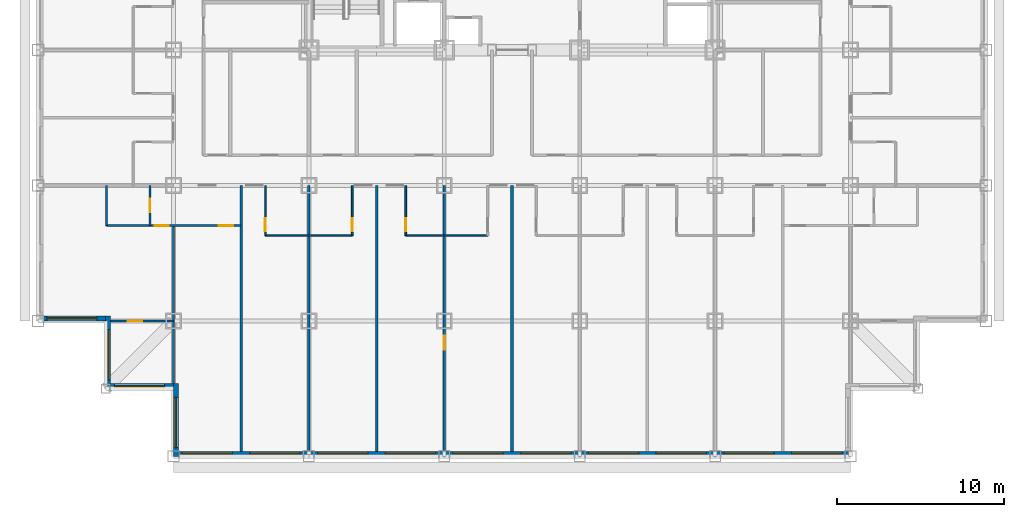
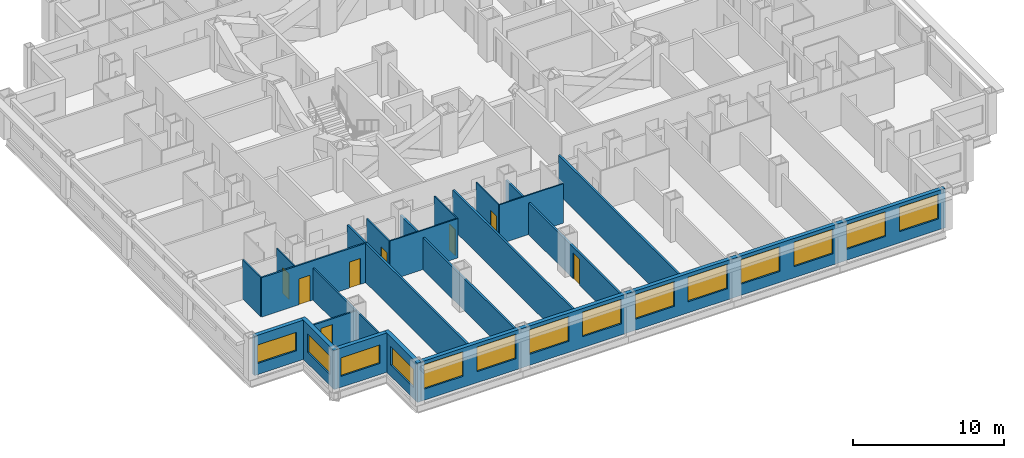
# One storey, part 3 of 12: 20 walls, 14 windows, 8 doors, 22 openings.
"""IFC4 building model written with IfcOpenShell, lengths in metres."""

from ifc_helpers import new_model, si_unit, direction, frame, frame_2d, origin, place, context, subcontext, project, spatial, rectangle, extrude, material, layer, layer_set, type_object, element, fill, save


model = new_model("IFC4")

# Units and contexts
model_context = context("Model", 3, precision=1e-05, world=origin(), true_north=direction((0.0, 1.0)))
body_context = subcontext(model_context, "Body", "Model", "MODEL_VIEW")
ifc_project = project(units=[si_unit("LENGTHUNIT", "METRE"), si_unit("AREAUNIT", "SQUARE_METRE"), si_unit("VOLUMEUNIT", "CUBIC_METRE"), si_unit("PLANEANGLEUNIT", "RADIAN"), si_unit("MASSUNIT", "GRAM", prefix="KILO")], contexts=[model_context])

# Site, building, storey
site_placement = place(None, origin())
site = spatial("IfcSite", under=ifc_project, at=site_placement, CompositionType="ELEMENT")
building_placement = place(site_placement, origin())
building = spatial("IfcBuilding", under=site, at=building_placement, Name="Kopane Lantern Tower", CompositionType="ELEMENT")
storey_placement = place(building_placement, frame((0.0, 0.0, 43.199951171875)))
storey = spatial("IfcBuildingStorey", under=building, at=storey_placement, Name="L09", CompositionType="ELEMENT", Elevation=43.199951171875)

# Wall, openings, doors
ifc_material_1 = material(Name="Gypsum board on steel studs", Category="steel")
ifc_layer_1 = layer(ifc_material_1, 0.1201171875)
ifc_layer_set_1 = layer_set([ifc_layer_1], Name="APARTMENT INTERNAL WALL 120")
wall_type_1 = type_object("IfcWallType", Name="APARTMENT INTERNAL WALL 120", PredefinedType="PARTITIONING", material=ifc_layer_set_1)
wall_1_placement = place(storey_placement, frame((4.10009765625, 13.800048828125, 0.0), z_axis=(0.0, 0.0, 1.0), x_axis=(1.0, 0.0, 0.0)))
wall_1 = element("IfcWall", 1, at=wall_1_placement, inside=storey, type_object=wall_type_1, Name="Apartment Internal Wall 120 L09", PredefinedType="PARTITIONING", context=body_context, shape_type="SweptSolid", body=[
    extrude(rectangle(XDim=8.0498046875, YDim=0.1201171875, at=frame_2d((4.02490234375, 0.0))), origin(), (0.0, 0.0, 1.0), 3.18994140625),
])
opening_1_placement = place(wall_1_placement, frame((6.72509765625, 0.0, 0.0)))
opening_1 = element("IfcOpeningElement", 2, at=opening_1_placement, cuts=wall_1, Name="Opening L09-074", PredefinedType="OPENING", context=body_context, shape_type="SweptSolid", body=[
    extrude(rectangle(XDim=0.85009765625, YDim=2.10009765625, at=frame_2d((0.425048828125, 1.050048828125))), frame((0.0, 0.070068359375, 0.0), z_axis=(0.0, -1.0, 0.0), x_axis=(1.0, 0.0, 0.0)), (0.0, 0.0, 1.0), 0.14013671875),
])
opening_2_placement = place(wall_1_placement, frame((2.875, 0.0, 0.0)))
opening_2 = element("IfcOpeningElement", 3, at=opening_2_placement, cuts=wall_1, Name="Opening L09-076", PredefinedType="OPENING", context=body_context, shape_type="SweptSolid", body=[
    extrude(rectangle(XDim=0.85009765625, YDim=2.10009765625, at=frame_2d((0.425048828125, 1.050048828125))), frame((0.0, 0.070068359375, 0.0), z_axis=(0.0, -1.0, 0.0), x_axis=(1.0, 0.0, 0.0)), (0.0, 0.0, 1.0), 0.14013671875),
])
ifc_material_2 = material(Name="Timber door set", Category="wood")
door_type_1 = type_object("IfcDoorType", Name="DOOR D4 850x2100", OperationType="SINGLE_SWING_LEFT", PredefinedType="DOOR", material=ifc_material_2)
door_1_placement = place(opening_1_placement, origin())
door_1 = element("IfcDoor", 4, at=door_1_placement, inside=storey, type_object=door_type_1, Name="Door L09-074", OperationType="SINGLE_SWING_RIGHT", OverallHeight=2.10009765625, OverallWidth=0.85009765625, PredefinedType="DOOR", context=body_context, shape_type="SweptSolid", body=[
    extrude(rectangle(XDim=0.85009765625, YDim=2.10009765625, at=frame_2d((0.425048828125, 1.050048828125))), frame((0.0, 0.02490234375, 0.0), z_axis=(0.0, -1.0, 0.0), x_axis=(1.0, 0.0, 0.0)), (0.0, 0.0, 1.0), 0.050048828125),
])
fill(opening_1, door_1)
door_2_placement = place(opening_2_placement, origin())
door_2 = element("IfcDoor", 5, at=door_2_placement, inside=storey, type_object=door_type_1, Name="Door L09-076", OperationType="SINGLE_SWING_LEFT", OverallHeight=2.10009765625, OverallWidth=0.85009765625, PredefinedType="DOOR", context=body_context, shape_type="SweptSolid", body=[
    extrude(rectangle(XDim=0.85009765625, YDim=2.10009765625, at=frame_2d((0.425048828125, 1.050048828125))), frame((0.0, 0.02490234375, 0.0), z_axis=(0.0, -1.0, 0.0), x_axis=(1.0, 0.0, 0.0)), (0.0, 0.0, 1.0), 0.050048828125),
])
fill(opening_2, door_2)

# Wall
wall_2_placement = place(storey_placement, frame((8.10009765625, 13.800048828125, 0.0), z_axis=(0.0, 0.0, 1.0), x_axis=(0.0, -1.0, 0.0)))
element("IfcWall", 6, at=wall_2_placement, inside=storey, type_object=wall_type_1, Name="Apartment Internal Wall 120 L09", PredefinedType="PARTITIONING", context=body_context, shape_type="SweptSolid", body=[
    extrude(rectangle(XDim=9.449951171875, YDim=0.1201171875, at=frame_2d((4.72509765625, 0.0))), origin(), (0.0, 0.0, 1.0), 2.577880859375),
])

# Wall, opening, door
wall_3_placement = place(storey_placement, frame((8.10009765625, 8.10009765625, 0.0), z_axis=(0.0, 0.0, 1.0), x_axis=(-1.0, 0.0, 0.0)))
wall_3 = element("IfcWall", 7, at=wall_3_placement, inside=storey, type_object=wall_type_1, Name="Apartment Internal Wall 120 L09", PredefinedType="PARTITIONING", context=body_context, shape_type="SweptSolid", body=[
    extrude(rectangle(XDim=3.75, YDim=0.1201171875, at=frame_2d((1.875, 0.0))), origin(), (0.0, 0.0, 1.0), 2.577880859375),
])
opening_3_placement = place(wall_3_placement, frame((1.875, 0.0, 0.0)))
opening_3 = element("IfcOpeningElement", 8, at=opening_3_placement, cuts=wall_3, Name="Opening L09-077", PredefinedType="OPENING", context=body_context, shape_type="SweptSolid", body=[
    extrude(rectangle(XDim=0.85009765625, YDim=2.10009765625, at=frame_2d((0.425048828125, 1.050048828125))), frame((0.0, 0.070068359375, 0.0), z_axis=(0.0, -1.0, 0.0), x_axis=(1.0, 0.0, 0.0)), (0.0, 0.0, 1.0), 0.14013671875),
])
door_3_placement = place(opening_3_placement, origin())
door_3 = element("IfcDoor", 9, at=door_3_placement, inside=storey, type_object=door_type_1, Name="Door L09-077", OperationType="SINGLE_SWING_LEFT", OverallHeight=2.10009765625, OverallWidth=0.85009765625, PredefinedType="DOOR", context=body_context, shape_type="SweptSolid", body=[
    extrude(rectangle(XDim=0.85009765625, YDim=2.10009765625, at=frame_2d((0.425048828125, 1.050048828125))), frame((0.0, 0.02490234375, 0.0), z_axis=(0.0, -1.0, 0.0), x_axis=(1.0, 0.0, 0.0)), (0.0, 0.0, 1.0), 0.050048828125),
])
fill(opening_3, door_3)

# Wall
ifc_material_3 = material(Name="Moisture-resistant board on steel studs", Category="steel")
ifc_layer_2 = layer(ifc_material_3, 0.10009765625)
ifc_layer_set_2 = layer_set([ifc_layer_2], Name="BATHROOM WALL 100")
wall_type_2 = type_object("IfcWallType", Name="BATHROOM WALL 100", PredefinedType="PARTITIONING", material=ifc_layer_set_2)
wall_4_placement = place(storey_placement, frame((13.60009765625, 13.199951171875, 0.0), z_axis=(0.0, 0.0, 1.0), x_axis=(1.0, 0.0, 0.0)))
element("IfcWall", 10, at=wall_4_placement, inside=storey, type_object=wall_type_2, Name="Bathroom Wall 100 L09", PredefinedType="PARTITIONING", context=body_context, shape_type="SweptSolid", body=[
    extrude(rectangle(XDim=5.199951171875, YDim=0.10009765625, at=frame_2d((2.60009765625, 0.0))), origin(), (0.0, 0.0, 1.0), 3.18994140625),
])

# Wall, opening, door
wall_5_placement = place(storey_placement, frame((13.60009765625, 16.199951171875, 0.0), z_axis=(0.0, 0.0, 1.0), x_axis=(0.0, -1.0, 0.0)))
wall_5 = element("IfcWall", 11, at=wall_5_placement, inside=storey, type_object=wall_type_2, Name="Bathroom Wall 100 L09", PredefinedType="PARTITIONING", context=body_context, shape_type="SweptSolid", body=[
    extrude(rectangle(XDim=3.0, YDim=0.10009765625, at=frame_2d((1.5, 0.0))), origin(), (0.0, 0.0, 1.0), 3.18994140625),
])
opening_4_placement = place(wall_5_placement, frame((1.949951171875, 0.0, 0.0)))
opening_4 = element("IfcOpeningElement", 12, at=opening_4_placement, cuts=wall_5, Name="Opening L09-016", PredefinedType="OPENING", context=body_context, shape_type="SweptSolid", body=[
    extrude(rectangle(XDim=0.800048828125, YDim=2.10009765625, at=frame_2d((0.39990234375, 1.050048828125))), frame((0.0, 0.06005859375, 0.0), z_axis=(0.0, -1.0, 0.0), x_axis=(1.0, 0.0, 0.0)), (0.0, 0.0, 1.0), 0.1201171875),
])
ifc_material_4 = material(Name="Timber door set", Category="wood")
door_type_2 = type_object("IfcDoorType", Name="DOOR D2 800x2100", OperationType="SINGLE_SWING_LEFT", PredefinedType="DOOR", material=ifc_material_4)
door_4_placement = place(opening_4_placement, origin())
door_4 = element("IfcDoor", 13, at=door_4_placement, inside=storey, type_object=door_type_2, Name="Door L09-016", OperationType="SINGLE_SWING_RIGHT", OverallHeight=2.10009765625, OverallWidth=0.800048828125, PredefinedType="DOOR", context=body_context, shape_type="SweptSolid", body=[
    extrude(rectangle(XDim=0.800048828125, YDim=2.10009765625, at=frame_2d((0.39990234375, 1.050048828125))), frame((0.0, 0.02490234375, 0.0), z_axis=(0.0, -1.0, 0.0), x_axis=(1.0, 0.0, 0.0)), (0.0, 0.0, 1.0), 0.050048828125),
])
fill(opening_4, door_4)

wall_6_placement = place(storey_placement, frame((18.800048828125, 16.199951171875, 0.0), z_axis=(0.0, 0.0, 1.0), x_axis=(0.0, -1.0, 0.0)))
wall_6 = element("IfcWall", 14, at=wall_6_placement, inside=storey, type_object=wall_type_2, Name="Bathroom Wall 100 L09", PredefinedType="PARTITIONING", context=body_context, shape_type="SweptSolid", body=[
    extrude(rectangle(XDim=3.0, YDim=0.10009765625, at=frame_2d((1.5, 0.0))), origin(), (0.0, 0.0, 1.0), 3.18994140625),
])
opening_5_placement = place(wall_6_placement, frame((1.949951171875, 0.0, 0.0)))
opening_5 = element("IfcOpeningElement", 15, at=opening_5_placement, cuts=wall_6, Name="Opening L09-018", PredefinedType="OPENING", context=body_context, shape_type="SweptSolid", body=[
    extrude(rectangle(XDim=0.800048828125, YDim=2.10009765625, at=frame_2d((0.39990234375, 1.050048828125))), frame((0.0, 0.06005859375, 0.0), z_axis=(0.0, -1.0, 0.0), x_axis=(1.0, 0.0, 0.0)), (0.0, 0.0, 1.0), 0.1201171875),
])
door_5_placement = place(opening_5_placement, origin())
door_5 = element("IfcDoor", 16, at=door_5_placement, inside=storey, type_object=door_type_2, Name="Door L09-018", OperationType="SINGLE_SWING_LEFT", OverallHeight=2.10009765625, OverallWidth=0.800048828125, PredefinedType="DOOR", context=body_context, shape_type="SweptSolid", body=[
    extrude(rectangle(XDim=0.800048828125, YDim=2.10009765625, at=frame_2d((0.39990234375, 1.050048828125))), frame((0.0, 0.02490234375, 0.0), z_axis=(0.0, -1.0, 0.0), x_axis=(1.0, 0.0, 0.0)), (0.0, 0.0, 1.0), 0.050048828125),
])
fill(opening_5, door_5)

# Wall
wall_7_placement = place(storey_placement, frame((22.0, 13.199951171875, 0.0), z_axis=(0.0, 0.0, 1.0), x_axis=(1.0, 0.0, 0.0)))
element("IfcWall", 17, at=wall_7_placement, inside=storey, type_object=wall_type_2, Name="Bathroom Wall 100 L09", PredefinedType="PARTITIONING", context=body_context, shape_type="SweptSolid", body=[
    extrude(rectangle(XDim=4.89990234375, YDim=0.10009765625, at=frame_2d((2.449951171875, 0.0))), origin(), (0.0, 0.0, 1.0), 3.18994140625),
])

# Wall, opening, door
wall_8_placement = place(storey_placement, frame((22.0, 16.199951171875, 0.0), z_axis=(0.0, 0.0, 1.0), x_axis=(0.0, -1.0, 0.0)))
wall_8 = element("IfcWall", 18, at=wall_8_placement, inside=storey, type_object=wall_type_2, Name="Bathroom Wall 100 L09", PredefinedType="PARTITIONING", context=body_context, shape_type="SweptSolid", body=[
    extrude(rectangle(XDim=3.0, YDim=0.10009765625, at=frame_2d((1.5, 0.0))), origin(), (0.0, 0.0, 1.0), 3.18994140625),
])
opening_6_placement = place(wall_8_placement, frame((1.949951171875, 0.0, 0.0)))
opening_6 = element("IfcOpeningElement", 19, at=opening_6_placement, cuts=wall_8, Name="Opening L09-020", PredefinedType="OPENING", context=body_context, shape_type="SweptSolid", body=[
    extrude(rectangle(XDim=0.800048828125, YDim=2.10009765625, at=frame_2d((0.39990234375, 1.050048828125))), frame((0.0, 0.06005859375, 0.0), z_axis=(0.0, -1.0, 0.0), x_axis=(1.0, 0.0, 0.0)), (0.0, 0.0, 1.0), 0.1201171875),
])
door_6_placement = place(opening_6_placement, origin())
door_6 = element("IfcDoor", 20, at=door_6_placement, inside=storey, type_object=door_type_2, Name="Door L09-020", OperationType="SINGLE_SWING_RIGHT", OverallHeight=2.10009765625, OverallWidth=0.800048828125, PredefinedType="DOOR", context=body_context, shape_type="SweptSolid", body=[
    extrude(rectangle(XDim=0.800048828125, YDim=2.10009765625, at=frame_2d((0.39990234375, 1.050048828125))), frame((0.0, 0.02490234375, 0.0), z_axis=(0.0, -1.0, 0.0), x_axis=(1.0, 0.0, 0.0)), (0.0, 0.0, 1.0), 0.050048828125),
])
fill(opening_6, door_6)

wall_9_placement = place(storey_placement, frame((6.699951171875, 16.199951171875, 0.0), z_axis=(0.0, 0.0, 1.0), x_axis=(0.0, -1.0, 0.0)))
wall_9 = element("IfcWall", 21, at=wall_9_placement, inside=storey, type_object=wall_type_2, Name="Bathroom Wall 100 L09", PredefinedType="PARTITIONING", context=body_context, shape_type="SweptSolid", body=[
    extrude(rectangle(XDim=2.39990234375, YDim=0.10009765625, at=frame_2d((1.199951171875, 0.0))), origin(), (0.0, 0.0, 1.0), 3.18994140625),
])
opening_7_placement = place(wall_9_placement, frame((0.800048828125, 0.0, 0.0)))
opening_7 = element("IfcOpeningElement", 22, at=opening_7_placement, cuts=wall_9, Name="Opening L09-075", PredefinedType="OPENING", context=body_context, shape_type="SweptSolid", body=[
    extrude(rectangle(XDim=0.800048828125, YDim=2.10009765625, at=frame_2d((0.39990234375, 1.050048828125))), frame((0.0, 0.06005859375, 0.0), z_axis=(0.0, -1.0, 0.0), x_axis=(1.0, 0.0, 0.0)), (0.0, 0.0, 1.0), 0.1201171875),
])
door_7_placement = place(opening_7_placement, origin())
door_7 = element("IfcDoor", 23, at=door_7_placement, inside=storey, type_object=door_type_2, Name="Door L09-075", OperationType="SINGLE_SWING_RIGHT", OverallHeight=2.10009765625, OverallWidth=0.800048828125, PredefinedType="DOOR", context=body_context, shape_type="SweptSolid", body=[
    extrude(rectangle(XDim=0.800048828125, YDim=2.10009765625, at=frame_2d((0.39990234375, 1.050048828125))), frame((0.0, 0.02490234375, 0.0), z_axis=(0.0, -1.0, 0.0), x_axis=(1.0, 0.0, 0.0)), (0.0, 0.0, 1.0), 0.050048828125),
])
fill(opening_7, door_7)

# Walls
wall_10_placement = place(storey_placement, frame((4.10009765625, 16.199951171875, 0.0), z_axis=(0.0, 0.0, 1.0), x_axis=(0.0, -1.0, 0.0)))
element("IfcWall", 24, at=wall_10_placement, inside=storey, type_object=wall_type_2, Name="Bathroom Wall 100 L09", PredefinedType="PARTITIONING", context=body_context, shape_type="SweptSolid", body=[
    extrude(rectangle(XDim=2.39990234375, YDim=0.10009765625, at=frame_2d((1.199951171875, 0.0))), origin(), (0.0, 0.0, 1.0), 3.18994140625),
])
ifc_material_5 = material(Name="Gypsum board on steel studs", Category="steel")
ifc_layer_3 = layer(ifc_material_5, 0.14990234375)
ifc_layer_set_3 = layer_set([ifc_layer_3], Name="DEMISING WALL 150 EI 60")
wall_type_3 = type_object("IfcWallType", Name="DEMISING WALL 150 EI 60", PredefinedType="PARTITIONING", material=ifc_layer_set_3)
wall_11_placement = place(storey_placement, frame((16.199951171875, 16.199951171875, 0.0), z_axis=(0.0, 0.0, 1.0), x_axis=(0.0, -1.0, 0.0)))
element("IfcWall", 25, at=wall_11_placement, inside=storey, type_object=wall_type_3, Name="Demising Wall 150 Ei 60 L09", PredefinedType="PARTITIONING", context=body_context, shape_type="SweptSolid", body=[
    extrude(rectangle(XDim=15.89990234375, YDim=0.14990234375, at=frame_2d((7.949951171875, 0.0))), origin(), (0.0, 0.0, 1.0), 2.577880859375),
])
wall_12_placement = place(storey_placement, frame((20.25, 16.199951171875, 0.0), z_axis=(0.0, 0.0, 1.0), x_axis=(0.0, -1.0, 0.0)))
element("IfcWall", 26, at=wall_12_placement, inside=storey, type_object=wall_type_3, Name="Demising Wall 150 Ei 60 L09", PredefinedType="PARTITIONING", context=body_context, shape_type="SweptSolid", body=[
    extrude(rectangle(XDim=15.89990234375, YDim=0.14990234375, at=frame_2d((7.949951171875, 0.0))), origin(), (0.0, 0.0, 1.0), 3.18994140625),
])

# Wall, opening, door
wall_13_placement = place(storey_placement, frame((24.300048828125, 16.199951171875, 0.0), z_axis=(0.0, 0.0, 1.0), x_axis=(0.0, -1.0, 0.0)))
wall_13 = element("IfcWall", 27, at=wall_13_placement, inside=storey, type_object=wall_type_3, Name="Demising Wall 150 Ei 60 L09", PredefinedType="PARTITIONING", context=body_context, shape_type="SweptSolid", body=[
    extrude(rectangle(XDim=15.89990234375, YDim=0.14990234375, at=frame_2d((7.949951171875, 0.0))), origin(), (0.0, 0.0, 1.0), 2.577880859375),
])
opening_8_placement = place(wall_13_placement, frame((8.97509765625, 0.0, 0.0)))
opening_8 = element("IfcOpeningElement", 28, at=opening_8_placement, cuts=wall_13, Name="Opening L09-024", PredefinedType="OPENING", context=body_context, shape_type="SweptSolid", body=[
    extrude(rectangle(XDim=0.85009765625, YDim=2.10009765625, at=frame_2d((0.425048828125, 1.050048828125))), frame((0.0, 0.0849609375, 0.0), z_axis=(0.0, -1.0, 0.0), x_axis=(1.0, 0.0, 0.0)), (0.0, 0.0, 1.0), 0.169921875),
])
ifc_material_6 = material(Name="Steel door set", Category="steel")
door_type_3 = type_object("IfcDoorType", Name="DOOR D11 850x2100 FD30S CONNECTING", OperationType="SINGLE_SWING_LEFT", PredefinedType="DOOR", material=ifc_material_6)
door_8_placement = place(opening_8_placement, origin())
door_8 = element("IfcDoor", 29, at=door_8_placement, inside=storey, type_object=door_type_3, Name="Door L09-024", OperationType="SINGLE_SWING_LEFT", OverallHeight=2.10009765625, OverallWidth=0.85009765625, PredefinedType="DOOR", context=body_context, shape_type="SweptSolid", body=[
    extrude(rectangle(XDim=0.85009765625, YDim=2.10009765625, at=frame_2d((0.425048828125, 1.050048828125))), frame((0.0, 0.02490234375, 0.0), z_axis=(0.0, -1.0, 0.0), x_axis=(1.0, 0.0, 0.0)), (0.0, 0.0, 1.0), 0.050048828125),
])
fill(opening_8, door_8)

# Walls
for number, where, z_axis, x_axis, name in (
    (30, (28.35009765625, 16.199951171875, 0.0), (0.0, 0.0, 1.0), (0.0, -1.0, 0.0), "Demising Wall 150 Ei 60 L09"),
    (31, (12.14990234375, 16.199951171875, 0.0), (0.0, 0.0, 1.0), (0.0, -1.0, 0.0), "Demising Wall 150 Ei 60 L09"),
):
    element("IfcWall", number, at=place(storey_placement, frame(where, z_axis=z_axis, x_axis=x_axis)), inside=storey, type_object=wall_type_3, Name=name, PredefinedType="PARTITIONING", context=body_context, shape_type="SweptSolid", body=[
        extrude(rectangle(XDim=15.89990234375, YDim=0.14990234375, at=frame_2d((7.949951171875, 0.0))), origin(), (0.0, 0.0, 1.0), 3.18994140625),
    ])

# Wall, openings, windows
ifc_material_7 = material(Name="Terracotta rainscreen on light steel framing", Category="masonry")
ifc_layer_4 = layer(ifc_material_7, 0.300048828125)
ifc_layer_set_4 = layer_set([ifc_layer_4], Name="EXTERNAL WALL EW1 300 TERRACOTTA")
wall_type_4 = type_object("IfcWallType", Name="EXTERNAL WALL EW1 300 TERRACOTTA", PredefinedType="SOLIDWALL", material=ifc_layer_set_4)
wall_14_placement = place(storey_placement, frame((8.39990234375, 0.14990234375, 0.0), z_axis=(0.0, 0.0, 1.0), x_axis=(1.0, 0.0, 0.0)))
wall_14 = element("IfcWall", 32, at=wall_14_placement, inside=storey, type_object=wall_type_4, Name="External wall S L09", PredefinedType="SOLIDWALL", context=body_context, shape_type="SweptSolid", body=[
    extrude(rectangle(XDim=40.2001953125, YDim=0.300048828125, at=frame_2d((20.10009765625, 0.0))), origin(), (0.0, 0.0, 1.0), 3.18994140625),
])
opening_9_placement = place(wall_14_placement, frame((0.22509765625, 0.0, 0.89990234375)))
opening_9 = element("IfcOpeningElement", 33, at=opening_9_placement, cuts=wall_14, Name="Opening WR300200", PredefinedType="OPENING", context=body_context, shape_type="SweptSolid", body=[
    extrude(rectangle(XDim=3.0, YDim=2.0, at=frame_2d((1.5, 1.0))), frame((0.0, 0.159912109375, 0.0), z_axis=(0.0, -1.0, 0.0), x_axis=(1.0, 0.0, 0.0)), (0.0, 0.0, 1.0), 0.320068359375),
])
opening_10_placement = place(wall_14_placement, frame((4.27490234375, 0.0, 0.89990234375)))
opening_10 = element("IfcOpeningElement", 34, at=opening_10_placement, cuts=wall_14, Name="Opening WR300200", PredefinedType="OPENING", context=body_context, shape_type="SweptSolid", body=[
    extrude(rectangle(XDim=3.0, YDim=2.0, at=frame_2d((1.5, 1.0))), frame((0.0, 0.159912109375, 0.0), z_axis=(0.0, -1.0, 0.0), x_axis=(1.0, 0.0, 0.0)), (0.0, 0.0, 1.0), 0.320068359375),
])
opening_11_placement = place(wall_14_placement, frame((8.324951171875, 0.0, 0.89990234375)))
opening_11 = element("IfcOpeningElement", 35, at=opening_11_placement, cuts=wall_14, Name="Opening WR300200", PredefinedType="OPENING", context=body_context, shape_type="SweptSolid", body=[
    extrude(rectangle(XDim=3.0, YDim=2.0, at=frame_2d((1.5, 1.0))), frame((0.0, 0.159912109375, 0.0), z_axis=(0.0, -1.0, 0.0), x_axis=(1.0, 0.0, 0.0)), (0.0, 0.0, 1.0), 0.320068359375),
])
opening_12_placement = place(wall_14_placement, frame((12.375, 0.0, 0.89990234375)))
opening_12 = element("IfcOpeningElement", 36, at=opening_12_placement, cuts=wall_14, Name="Opening WR300200", PredefinedType="OPENING", context=body_context, shape_type="SweptSolid", body=[
    extrude(rectangle(XDim=3.0, YDim=2.0, at=frame_2d((1.5, 1.0))), frame((0.0, 0.159912109375, 0.0), z_axis=(0.0, -1.0, 0.0), x_axis=(1.0, 0.0, 0.0)), (0.0, 0.0, 1.0), 0.320068359375),
])
opening_13_placement = place(wall_14_placement, frame((16.425048828125, 0.0, 0.89990234375)))
opening_13 = element("IfcOpeningElement", 37, at=opening_13_placement, cuts=wall_14, Name="Opening WR300200", PredefinedType="OPENING", context=body_context, shape_type="SweptSolid", body=[
    extrude(rectangle(XDim=3.0, YDim=2.0, at=frame_2d((1.5, 1.0))), frame((0.0, 0.159912109375, 0.0), z_axis=(0.0, -1.0, 0.0), x_axis=(1.0, 0.0, 0.0)), (0.0, 0.0, 1.0), 0.320068359375),
])
opening_14_placement = place(wall_14_placement, frame((20.47509765625, 0.0, 0.89990234375)))
opening_14 = element("IfcOpeningElement", 38, at=opening_14_placement, cuts=wall_14, Name="Opening WR300200", PredefinedType="OPENING", context=body_context, shape_type="SweptSolid", body=[
    extrude(rectangle(XDim=3.0, YDim=2.0, at=frame_2d((1.5, 1.0))), frame((0.0, 0.159912109375, 0.0), z_axis=(0.0, -1.0, 0.0), x_axis=(1.0, 0.0, 0.0)), (0.0, 0.0, 1.0), 0.320068359375),
])
opening_15_placement = place(wall_14_placement, frame((24.52490234375, 0.0, 0.89990234375)))
opening_15 = element("IfcOpeningElement", 39, at=opening_15_placement, cuts=wall_14, Name="Opening WR300200", PredefinedType="OPENING", context=body_context, shape_type="SweptSolid", body=[
    extrude(rectangle(XDim=3.0, YDim=2.0, at=frame_2d((1.5, 1.0))), frame((0.0, 0.159912109375, 0.0), z_axis=(0.0, -1.0, 0.0), x_axis=(1.0, 0.0, 0.0)), (0.0, 0.0, 1.0), 0.320068359375),
])
opening_16_placement = place(wall_14_placement, frame((28.574951171875, 0.0, 0.89990234375)))
opening_16 = element("IfcOpeningElement", 40, at=opening_16_placement, cuts=wall_14, Name="Opening WR300200", PredefinedType="OPENING", context=body_context, shape_type="SweptSolid", body=[
    extrude(rectangle(XDim=3.0, YDim=2.0, at=frame_2d((1.5, 1.0))), frame((0.0, 0.159912109375, 0.0), z_axis=(0.0, -1.0, 0.0), x_axis=(1.0, 0.0, 0.0)), (0.0, 0.0, 1.0), 0.320068359375),
])
opening_17_placement = place(wall_14_placement, frame((32.625, 0.0, 0.89990234375)))
opening_17 = element("IfcOpeningElement", 41, at=opening_17_placement, cuts=wall_14, Name="Opening WR300200", PredefinedType="OPENING", context=body_context, shape_type="SweptSolid", body=[
    extrude(rectangle(XDim=3.0, YDim=2.0, at=frame_2d((1.5, 1.0))), frame((0.0, 0.159912109375, 0.0), z_axis=(0.0, -1.0, 0.0), x_axis=(1.0, 0.0, 0.0)), (0.0, 0.0, 1.0), 0.320068359375),
])
opening_18_placement = place(wall_14_placement, frame((36.675048828125, 0.0, 0.89990234375)))
opening_18 = element("IfcOpeningElement", 42, at=opening_18_placement, cuts=wall_14, Name="Opening WR300200", PredefinedType="OPENING", context=body_context, shape_type="SweptSolid", body=[
    extrude(rectangle(XDim=3.0, YDim=2.0, at=frame_2d((1.5, 1.0))), frame((0.0, 0.159912109375, 0.0), z_axis=(0.0, -1.0, 0.0), x_axis=(1.0, 0.0, 0.0)), (0.0, 0.0, 1.0), 0.320068359375),
])
ifc_material_8 = material(Name="Aluminium and clear glass", Category="aluminium")
window_type_1 = type_object("IfcWindowType", Name="RIBBON WINDOW WR300200 3000x2000", PartitioningType="SINGLE_PANEL", PredefinedType="WINDOW", material=ifc_material_8)
window_1_placement = place(opening_9_placement, origin())
window_1 = element("IfcWindow", 43, at=window_1_placement, inside=storey, type_object=window_type_1, Name="Window S L09", OverallHeight=2.0, OverallWidth=3.0, PartitioningType="SINGLE_PANEL", PredefinedType="WINDOW", context=body_context, shape_type="SweptSolid", body=[
    extrude(rectangle(XDim=3.0, YDim=2.0, at=frame_2d((1.5, 1.0))), frame((0.0, 0.030029296875, 0.0), z_axis=(0.0, -1.0, 0.0), x_axis=(1.0, 0.0, 0.0)), (0.0, 0.0, 1.0), 0.06005859375),
])
fill(opening_9, window_1)
window_2_placement = place(opening_10_placement, origin())
window_2 = element("IfcWindow", 44, at=window_2_placement, inside=storey, type_object=window_type_1, Name="Window S L09", OverallHeight=2.0, OverallWidth=3.0, PartitioningType="SINGLE_PANEL", PredefinedType="WINDOW", context=body_context, shape_type="SweptSolid", body=[
    extrude(rectangle(XDim=3.0, YDim=2.0, at=frame_2d((1.5, 1.0))), frame((0.0, 0.030029296875, 0.0), z_axis=(0.0, -1.0, 0.0), x_axis=(1.0, 0.0, 0.0)), (0.0, 0.0, 1.0), 0.06005859375),
])
fill(opening_10, window_2)
window_3_placement = place(opening_11_placement, origin())
window_3 = element("IfcWindow", 45, at=window_3_placement, inside=storey, type_object=window_type_1, Name="Window S L09", OverallHeight=2.0, OverallWidth=3.0, PartitioningType="SINGLE_PANEL", PredefinedType="WINDOW", context=body_context, shape_type="SweptSolid", body=[
    extrude(rectangle(XDim=3.0, YDim=2.0, at=frame_2d((1.5, 1.0))), frame((0.0, 0.030029296875, 0.0), z_axis=(0.0, -1.0, 0.0), x_axis=(1.0, 0.0, 0.0)), (0.0, 0.0, 1.0), 0.06005859375),
])
fill(opening_11, window_3)
window_4_placement = place(opening_12_placement, origin())
window_4 = element("IfcWindow", 46, at=window_4_placement, inside=storey, type_object=window_type_1, Name="Window S L09", OverallHeight=2.0, OverallWidth=3.0, PartitioningType="SINGLE_PANEL", PredefinedType="WINDOW", context=body_context, shape_type="SweptSolid", body=[
    extrude(rectangle(XDim=3.0, YDim=2.0, at=frame_2d((1.5, 1.0))), frame((0.0, 0.030029296875, 0.0), z_axis=(0.0, -1.0, 0.0), x_axis=(1.0, 0.0, 0.0)), (0.0, 0.0, 1.0), 0.06005859375),
])
fill(opening_12, window_4)
window_5_placement = place(opening_13_placement, origin())
window_5 = element("IfcWindow", 47, at=window_5_placement, inside=storey, type_object=window_type_1, Name="Window S L09", OverallHeight=2.0, OverallWidth=3.0, PartitioningType="SINGLE_PANEL", PredefinedType="WINDOW", context=body_context, shape_type="SweptSolid", body=[
    extrude(rectangle(XDim=3.0, YDim=2.0, at=frame_2d((1.5, 1.0))), frame((0.0, 0.030029296875, 0.0), z_axis=(0.0, -1.0, 0.0), x_axis=(1.0, 0.0, 0.0)), (0.0, 0.0, 1.0), 0.06005859375),
])
fill(opening_13, window_5)
window_6_placement = place(opening_14_placement, origin())
window_6 = element("IfcWindow", 48, at=window_6_placement, inside=storey, type_object=window_type_1, Name="Window S L09", OverallHeight=2.0, OverallWidth=3.0, PartitioningType="SINGLE_PANEL", PredefinedType="WINDOW", context=body_context, shape_type="SweptSolid", body=[
    extrude(rectangle(XDim=3.0, YDim=2.0, at=frame_2d((1.5, 1.0))), frame((0.0, 0.030029296875, 0.0), z_axis=(0.0, -1.0, 0.0), x_axis=(1.0, 0.0, 0.0)), (0.0, 0.0, 1.0), 0.06005859375),
])
fill(opening_14, window_6)
window_7_placement = place(opening_15_placement, origin())
window_7 = element("IfcWindow", 49, at=window_7_placement, inside=storey, type_object=window_type_1, Name="Window S L09", OverallHeight=2.0, OverallWidth=3.0, PartitioningType="SINGLE_PANEL", PredefinedType="WINDOW", context=body_context, shape_type="SweptSolid", body=[
    extrude(rectangle(XDim=3.0, YDim=2.0, at=frame_2d((1.5, 1.0))), frame((0.0, 0.030029296875, 0.0), z_axis=(0.0, -1.0, 0.0), x_axis=(1.0, 0.0, 0.0)), (0.0, 0.0, 1.0), 0.06005859375),
])
fill(opening_15, window_7)
window_8_placement = place(opening_16_placement, origin())
window_8 = element("IfcWindow", 50, at=window_8_placement, inside=storey, type_object=window_type_1, Name="Window S L09", OverallHeight=2.0, OverallWidth=3.0, PartitioningType="SINGLE_PANEL", PredefinedType="WINDOW", context=body_context, shape_type="SweptSolid", body=[
    extrude(rectangle(XDim=3.0, YDim=2.0, at=frame_2d((1.5, 1.0))), frame((0.0, 0.030029296875, 0.0), z_axis=(0.0, -1.0, 0.0), x_axis=(1.0, 0.0, 0.0)), (0.0, 0.0, 1.0), 0.06005859375),
])
fill(opening_16, window_8)
window_9_placement = place(opening_17_placement, origin())
window_9 = element("IfcWindow", 51, at=window_9_placement, inside=storey, type_object=window_type_1, Name="Window S L09", OverallHeight=2.0, OverallWidth=3.0, PartitioningType="SINGLE_PANEL", PredefinedType="WINDOW", context=body_context, shape_type="SweptSolid", body=[
    extrude(rectangle(XDim=3.0, YDim=2.0, at=frame_2d((1.5, 1.0))), frame((0.0, 0.030029296875, 0.0), z_axis=(0.0, -1.0, 0.0), x_axis=(1.0, 0.0, 0.0)), (0.0, 0.0, 1.0), 0.06005859375),
])
fill(opening_17, window_9)
window_10_placement = place(opening_18_placement, origin())
window_10 = element("IfcWindow", 52, at=window_10_placement, inside=storey, type_object=window_type_1, Name="Window S L09", OverallHeight=2.0, OverallWidth=3.0, PartitioningType="SINGLE_PANEL", PredefinedType="WINDOW", context=body_context, shape_type="SweptSolid", body=[
    extrude(rectangle(XDim=3.0, YDim=2.0, at=frame_2d((1.5, 1.0))), frame((0.0, 0.030029296875, 0.0), z_axis=(0.0, -1.0, 0.0), x_axis=(1.0, 0.0, 0.0)), (0.0, 0.0, 1.0), 0.06005859375),
])
fill(opening_18, window_10)

# Wall, opening, window
wall_15_placement = place(storey_placement, frame((0.300048828125, 8.25, 0.0), z_axis=(0.0, 0.0, 1.0), x_axis=(1.0, 0.0, 0.0)))
wall_15 = element("IfcWall", 53, at=wall_15_placement, inside=storey, type_object=wall_type_4, Name="External wall S L09", PredefinedType="SOLIDWALL", context=body_context, shape_type="SweptSolid", body=[
    extrude(rectangle(XDim=3.75, YDim=0.300048828125, at=frame_2d((1.875, 0.0))), origin(), (0.0, 0.0, 1.0), 3.18994140625),
])
opening_19_placement = place(wall_15_placement, frame((0.22509765625, 0.0, 0.89990234375)))
opening_19 = element("IfcOpeningElement", 54, at=opening_19_placement, cuts=wall_15, Name="Opening WR300150", PredefinedType="OPENING", context=body_context, shape_type="SweptSolid", body=[
    extrude(rectangle(XDim=3.0, YDim=1.5, at=frame_2d((1.5, 0.75))), frame((0.0, 0.159912109375, 0.0), z_axis=(0.0, -1.0, 0.0), x_axis=(1.0, 0.0, 0.0)), (0.0, 0.0, 1.0), 0.320068359375),
])
ifc_material_9 = material(Name="Aluminium and clear glass", Category="aluminium")
window_type_2 = type_object("IfcWindowType", Name="RIBBON WINDOW WR300150 3000x1500", PartitioningType="SINGLE_PANEL", PredefinedType="WINDOW", material=ifc_material_9)
window_11_placement = place(opening_19_placement, origin())
window_11 = element("IfcWindow", 55, at=window_11_placement, inside=storey, type_object=window_type_2, Name="Window S L09", OverallHeight=1.5, OverallWidth=3.0, PartitioningType="SINGLE_PANEL", PredefinedType="WINDOW", context=body_context, shape_type="SweptSolid", body=[
    extrude(rectangle(XDim=3.0, YDim=1.5, at=frame_2d((1.5, 0.75))), frame((0.0, 0.030029296875, 0.0), z_axis=(0.0, -1.0, 0.0), x_axis=(1.0, 0.0, 0.0)), (0.0, 0.0, 1.0), 0.06005859375),
])
fill(opening_19, window_11)

wall_16_placement = place(storey_placement, frame((4.199951171875, 8.39990234375, 0.0), z_axis=(0.0, 0.0, 1.0), x_axis=(0.0, -1.0, 0.0)))
wall_16 = element("IfcWall", 56, at=wall_16_placement, inside=storey, type_object=wall_type_4, Name="External wall W L09", PredefinedType="SOLIDWALL", context=body_context, shape_type="SweptSolid", body=[
    extrude(rectangle(XDim=4.349853515625, YDim=0.300048828125, at=frame_2d((2.1748046875, 0.0))), origin(), (0.0, 0.0, 1.0), 3.18994140625),
])
opening_20_placement = place(wall_16_placement, frame((0.824951171875, 0.0, 0.89990234375)))
opening_20 = element("IfcOpeningElement", 57, at=opening_20_placement, cuts=wall_16, Name="Opening WR300150", PredefinedType="OPENING", context=body_context, shape_type="SweptSolid", body=[
    extrude(rectangle(XDim=3.0, YDim=1.5, at=frame_2d((1.5, 0.75))), frame((0.0, 0.159912109375, 0.0), z_axis=(0.0, -1.0, 0.0), x_axis=(1.0, 0.0, 0.0)), (0.0, 0.0, 1.0), 0.320068359375),
])
window_12_placement = place(opening_20_placement, origin())
window_12 = element("IfcWindow", 58, at=window_12_placement, inside=storey, type_object=window_type_2, Name="Window W L09", OverallHeight=1.5, OverallWidth=3.0, PartitioningType="SINGLE_PANEL", PredefinedType="WINDOW", context=body_context, shape_type="SweptSolid", body=[
    extrude(rectangle(XDim=3.0, YDim=1.5, at=frame_2d((1.5, 0.75))), frame((0.0, 0.030029296875, 0.0), z_axis=(0.0, -1.0, 0.0), x_axis=(1.0, 0.0, 0.0)), (0.0, 0.0, 1.0), 0.06005859375),
])
fill(opening_20, window_12)

wall_17_placement = place(storey_placement, frame((4.35009765625, 4.199951171875, 0.0), z_axis=(0.0, 0.0, 1.0), x_axis=(1.0, 0.0, 0.0)))
wall_17 = element("IfcWall", 59, at=wall_17_placement, inside=storey, type_object=wall_type_4, Name="External wall S L09", PredefinedType="SOLIDWALL", context=body_context, shape_type="SweptSolid", body=[
    extrude(rectangle(XDim=3.75, YDim=0.300048828125, at=frame_2d((1.875, 0.0))), origin(), (0.0, 0.0, 1.0), 3.18994140625),
])
opening_21_placement = place(wall_17_placement, frame((0.22509765625, 0.0, 0.89990234375)))
opening_21 = element("IfcOpeningElement", 60, at=opening_21_placement, cuts=wall_17, Name="Opening WR300150", PredefinedType="OPENING", context=body_context, shape_type="SweptSolid", body=[
    extrude(rectangle(XDim=3.0, YDim=1.5, at=frame_2d((1.5, 0.75))), frame((0.0, 0.159912109375, 0.0), z_axis=(0.0, -1.0, 0.0), x_axis=(1.0, 0.0, 0.0)), (0.0, 0.0, 1.0), 0.320068359375),
])
window_13_placement = place(opening_21_placement, origin())
window_13 = element("IfcWindow", 61, at=window_13_placement, inside=storey, type_object=window_type_2, Name="Window S L09", OverallHeight=1.5, OverallWidth=3.0, PartitioningType="SINGLE_PANEL", PredefinedType="WINDOW", context=body_context, shape_type="SweptSolid", body=[
    extrude(rectangle(XDim=3.0, YDim=1.5, at=frame_2d((1.5, 0.75))), frame((0.0, 0.030029296875, 0.0), z_axis=(0.0, -1.0, 0.0), x_axis=(1.0, 0.0, 0.0)), (0.0, 0.0, 1.0), 0.06005859375),
])
fill(opening_21, window_13)

wall_18_placement = place(storey_placement, frame((8.25, 4.35009765625, 0.0), z_axis=(0.0, 0.0, 1.0), x_axis=(0.0, -1.0, 0.0)))
wall_18 = element("IfcWall", 62, at=wall_18_placement, inside=storey, type_object=wall_type_4, Name="External wall W L09", PredefinedType="SOLIDWALL", context=body_context, shape_type="SweptSolid", body=[
    extrude(rectangle(XDim=4.35009765625, YDim=0.300048828125, at=frame_2d((2.175048828125, 0.0))), origin(), (0.0, 0.0, 1.0), 3.18994140625),
])
opening_22_placement = place(wall_18_placement, frame((0.824951171875, 0.0, 0.89990234375)))
opening_22 = element("IfcOpeningElement", 63, at=opening_22_placement, cuts=wall_18, Name="Opening WR300150", PredefinedType="OPENING", context=body_context, shape_type="SweptSolid", body=[
    extrude(rectangle(XDim=3.0, YDim=1.5, at=frame_2d((1.5, 0.75))), frame((0.0, 0.159912109375, 0.0), z_axis=(0.0, -1.0, 0.0), x_axis=(1.0, 0.0, 0.0)), (0.0, 0.0, 1.0), 0.320068359375),
])
window_14_placement = place(opening_22_placement, origin())
window_14 = element("IfcWindow", 64, at=window_14_placement, inside=storey, type_object=window_type_2, Name="Window W L09", OverallHeight=1.5, OverallWidth=3.0, PartitioningType="SINGLE_PANEL", PredefinedType="WINDOW", context=body_context, shape_type="SweptSolid", body=[
    extrude(rectangle(XDim=3.0, YDim=1.5, at=frame_2d((1.5, 0.75))), frame((0.0, 0.030029296875, 0.0), z_axis=(0.0, -1.0, 0.0), x_axis=(1.0, 0.0, 0.0)), (0.0, 0.0, 1.0), 0.06005859375),
])
fill(opening_22, window_14)

save(model, "model.ifc")
